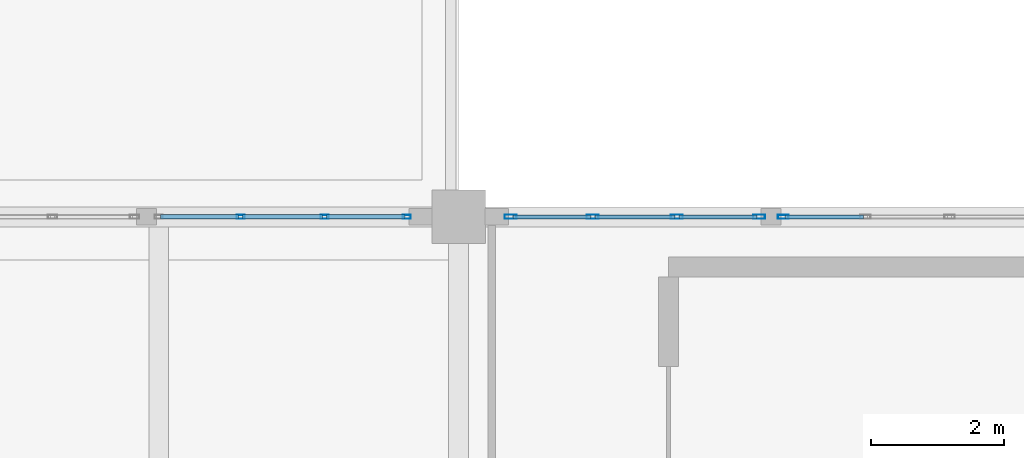
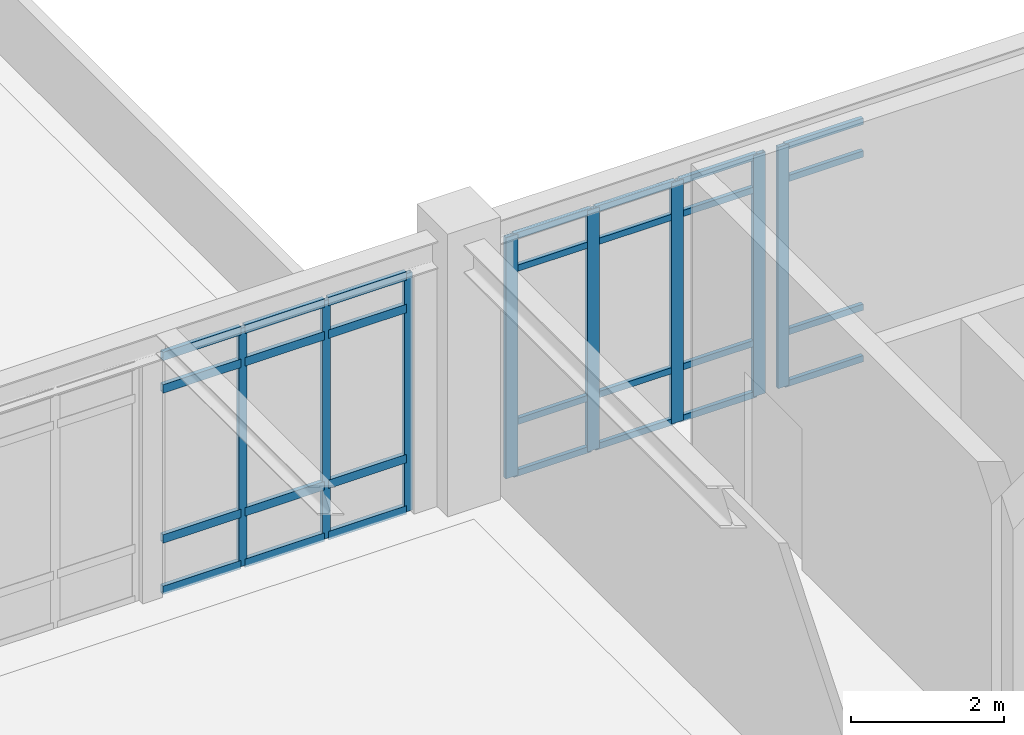
# One storey, part 36 of 55: 36 members, 3 elements without a shape of their own.
"""IFC4 building model written with IfcOpenShell, lengths in metres."""

import ifcopenshell
import ifcopenshell.guid

model = None  # the IFC model being written
_history = None  # IfcOwnerHistory: only IFC2X3 demands one
_inside = {}  # id of a spatial element -> (the spatial element, [elements in it])
_under = {}  # id of a project, library or spatial element -> (it, [spatial elements below it])
_declared = {}  # id of a project -> (the project, [libraries it declares])
_typed = {}  # id of a type object -> (the type object, [elements of that type])
_made_of = {}  # id of a material, layer set ... -> (it, [elements and type objects made of it])


def new_model(schema):
    """Start an empty IFC model of exactly this schema.

    Asked for "IFC4X3", IfcOpenShell would pick the latest addendum, in which some entities
    have other attributes; the version numbers below select the first issue.
    IFC2X3 requires an IfcOwnerHistory on every rooted entity: one is made here for all.
    """
    global model, _history
    if schema == "IFC4X3":
        model = ifcopenshell.file(schema_version=(4, 3, 0, 0))
    else:
        model = ifcopenshell.file(schema=schema)
    _inside.clear()
    _under.clear()
    _declared.clear()
    _typed.clear()
    _made_of.clear()
    _history = None
    if model.schema == "IFC2X3":
        org = make("IfcOrganization", Name="unknown")
        user = make(
            "IfcPersonAndOrganization",
            ThePerson=make("IfcPerson", FamilyName="unknown"),
            TheOrganization=org,
        )
        app = make(
            "IfcApplication",
            ApplicationDeveloper=org,
            Version="unknown",
            ApplicationFullName="unknown",
            ApplicationIdentifier="unknown",
        )
        _history = make(
            "IfcOwnerHistory",
            OwningUser=user,
            OwningApplication=app,
            ChangeAction="ADDED",
            CreationDate=0,
        )
    return model


def make(cls, **values):
    """One entity of the class cls with the attributes given. An attribute that is None is left unset."""
    return model.create_entity(
        cls, **{name: value for name, value in values.items() if value is not None}
    )


def rooted(cls, **values):
    """An entity with a GlobalId (a new one), such as an element, a storey or a relation."""
    return make(cls, GlobalId=ifcopenshell.guid.new(), OwnerHistory=_history, **values)


def si_unit(unit_type, name, prefix=None):
    """IfcSIUnit, for example si_unit("LENGTHUNIT", "METRE", prefix="MILLI")."""
    return make("IfcSIUnit", UnitType=unit_type, Prefix=prefix, Name=name)


def assignment(units):
    """IfcUnitAssignment: the units of a project."""
    return None if units is None else make("IfcUnitAssignment", Units=units)


def point(xyz):
    """IfcCartesianPoint."""
    return None if xyz is None else make("IfcCartesianPoint", Coordinates=xyz)


def direction(xyz):
    """IfcDirection."""
    return None if xyz is None else make("IfcDirection", DirectionRatios=xyz)


def frame(location, z_axis=None, x_axis=None):
    """IfcAxis2Placement3D, a coordinate frame: its origin and axes. An axis left out is left unset."""
    return make(
        "IfcAxis2Placement3D",
        Location=point(location),
        Axis=direction(z_axis),
        RefDirection=direction(x_axis),
    )


def frame_2d(location, x_axis=None):
    """IfcAxis2Placement2D, a coordinate frame in the plane: its origin and x axis."""
    return make(
        "IfcAxis2Placement2D", Location=point(location), RefDirection=direction(x_axis)
    )


def origin():
    """The frame at (0, 0, 0) with its axes left unset."""
    return frame((0.0, 0.0, 0.0))


def origin_2d():
    """The frame at (0, 0) in the plane with its x axis left unset."""
    return frame_2d((0.0, 0.0))


def place(relative_to, where):
    """IfcLocalPlacement: puts the frame where relative to a parent placement (None: the world)."""
    return make(
        "IfcLocalPlacement", PlacementRelTo=relative_to, RelativePlacement=where
    )


def context(
    kind, dimensions, precision=None, world=None, true_north=None, identifier=None
):
    """IfcGeometricRepresentationContext, for example the 3D "Model" context."""
    return make(
        "IfcGeometricRepresentationContext",
        ContextIdentifier=identifier,
        ContextType=kind,
        CoordinateSpaceDimension=dimensions,
        Precision=precision,
        WorldCoordinateSystem=world,
        TrueNorth=true_north,
    )


def subcontext(parent, identifier, kind, view, scale=None):
    """IfcGeometricRepresentationSubContext, for example "Body" below "Model"."""
    return make(
        "IfcGeometricRepresentationSubContext",
        ContextIdentifier=identifier,
        ContextType=kind,
        ParentContext=parent,
        TargetScale=scale,
        TargetView=view,
    )


def project(units=None, contexts=None):
    """IfcProject with its units and contexts."""
    return rooted(
        "IfcProject",
        Name="project",
        RepresentationContexts=contexts,
        UnitsInContext=assignment(units),
    )


def spatial(cls, under=None, at=None, **own):
    """A site, building, storey or space (cls), placed at a placement, below another one or the project."""
    s = rooted(cls, ObjectPlacement=at, **own)
    if under is not None:
        _under.setdefault(under.id(), (under, []))[1].append(s)
    return s


def profile(cls, at=None, kind="AREA", **sizes):
    """A parametric profile (cls). Its sizes go by their IFC names, for example OverallWidth=200.0."""
    return make(cls, ProfileType=kind, Position=at, **sizes)


def hollow_rectangle(**sizes):
    """IfcRectangleHollowProfileDef."""
    return profile("IfcRectangleHollowProfileDef", **sizes)


def extrude(swept, where, along, depth):
    """IfcExtrudedAreaSolid: the profile swept, set in the frame where, extruded along a direction by depth."""
    return make(
        "IfcExtrudedAreaSolid",
        SweptArea=swept,
        Position=where,
        ExtrudedDirection=direction(along),
        Depth=depth,
    )


def shape(context_of_items, identifier, shape_type, items):
    """IfcShapeRepresentation: the items that make up one representation, for example the "Body"."""
    return make(
        "IfcShapeRepresentation",
        ContextOfItems=context_of_items,
        RepresentationIdentifier=identifier,
        RepresentationType=shape_type,
        Items=items,
    )


def material(Name=None, Category=None):
    """IfcMaterial."""
    return make("IfcMaterial", Name=Name, Category=Category)


def layer(
    of_material, thickness, ventilated=None, Name=None, Category=None, Priority=None
):
    """IfcMaterialLayer: one layer of a wall or slab, of a material (None: an air gap)."""
    return make(
        "IfcMaterialLayer",
        Material=of_material,
        LayerThickness=thickness,
        IsVentilated=ventilated,
        Name=Name,
        Category=Category,
        Priority=Priority,
    )


def layer_set(layers, Name=None):
    """IfcMaterialLayerSet."""
    return make("IfcMaterialLayerSet", MaterialLayers=layers, LayerSetName=Name)


def material_profile(
    of_material, cross_section, Name=None, Category=None, Priority=None
):
    """IfcMaterialProfile: a cross section and its material."""
    return make(
        "IfcMaterialProfile",
        Name=Name,
        Material=of_material,
        Profile=cross_section,
        Priority=Priority,
        Category=Category,
    )


def profile_set(profiles, Name=None, composite=None):
    """IfcMaterialProfileSet."""
    return make(
        "IfcMaterialProfileSet",
        Name=Name,
        MaterialProfiles=profiles,
        CompositeProfile=composite,
    )


def made_of(thing, what):
    """Note that an element or type object is made of a material, layer set ...; save() writes the relation."""
    if what is not None:
        _made_of.setdefault(what.id(), (what, []))[1].append(thing)
    return thing


def type_object(cls, material=None, **own):
    """A type object (cls), such as IfcWallType, which elements share."""
    return made_of(rooted(cls, **own), material)


def element(
    cls,
    number,
    at=None,
    inside=None,
    cuts=None,
    type_object=None,
    material=None,
    context=None,
    identifier="Body",
    shape_type=None,
    held_by="IfcProductDefinitionShape",
    body=None,
    shapes=None,
    **own,
):
    """One element of the class cls, such as IfcWall. Its Tag is "e" and its number.

    at: its placement. inside: the storey or other place that contains it. cuts: it is an
    opening in that element (IfcRelVoidsElement). A single representation is given by context,
    identifier, shape_type and body (its items); several are given by shapes. held_by: the class
    of the entity that holds the representations. save() writes the other relations.
    """
    e = rooted(cls, Tag="e%d" % number, ObjectPlacement=at, **own)
    if body is not None:
        shapes = [shape(context, identifier, shape_type, body)]
    if shapes is not None:
        e.Representation = make(held_by, Representations=shapes)
    if inside is not None:
        _inside.setdefault(inside.id(), (inside, []))[1].append(e)
    if cuts is not None:
        rooted(
            "IfcRelVoidsElement", RelatingBuildingElement=cuts, RelatedOpeningElement=e
        )
    if type_object is not None:
        _typed.setdefault(type_object.id(), (type_object, []))[1].append(e)
    return made_of(e, material)


def aggregate(whole, parts):
    """IfcRelAggregates: a whole, such as a stair, and the parts it consists of."""
    return rooted("IfcRelAggregates", RelatingObject=whole, RelatedObjects=parts)


def save(model, path):
    """Write the relations noted so far, then the file.

    IfcRelAggregates (storeys below a building ...), IfcRelContainedInSpatialStructure (elements
    in a storey), IfcRelDefinesByType, IfcRelAssociatesMaterial and IfcRelDeclares: one each for
    every whole, place, type object, material and project.
    """
    for whole, parts in _under.values():
        aggregate(whole, parts)
    for where, things in _inside.values():
        rooted(
            "IfcRelContainedInSpatialStructure",
            RelatedElements=things,
            RelatingStructure=where,
        )
    for kind, things in _typed.values():
        rooted("IfcRelDefinesByType", RelatedObjects=things, RelatingType=kind)
    for what, things in _made_of.values():
        rooted("IfcRelAssociatesMaterial", RelatedObjects=things, RelatingMaterial=what)
    for by, libraries in _declared.values():
        rooted("IfcRelDeclares", RelatingContext=by, RelatedDefinitions=libraries)
    model.write(path)


model = new_model("IFC4")

# Units and contexts
model_context = context("Model", 3, precision=1e-05, world=origin(), true_north=direction((0.0, 1.0)))
body_context = subcontext(model_context, "Body", "Model", "MODEL_VIEW")
ifc_project = project(units=[si_unit("LENGTHUNIT", "METRE"), si_unit("AREAUNIT", "SQUARE_METRE"), si_unit("VOLUMEUNIT", "CUBIC_METRE"), si_unit("PLANEANGLEUNIT", "RADIAN"), si_unit("MASSUNIT", "GRAM", prefix="KILO")], contexts=[model_context])

# Site, building, storey
site_placement = place(None, origin())
site = spatial("IfcSite", under=ifc_project, at=site_placement, CompositionType="ELEMENT")
building_placement = place(site_placement, origin())
building = spatial("IfcBuilding", under=site, at=building_placement, Name="Fikremerkos Civic Library", CompositionType="ELEMENT")
storey_placement = place(building_placement, frame((0.0, 0.0, 18.89990234375)))
storey = spatial("IfcBuildingStorey", under=building, at=storey_placement, Name="L04", CompositionType="ELEMENT", Elevation=18.89990234375)

# Curtain wall, members
ifc_material = material(Name="Anodized aluminium Frame", Category="aluminium")
ifc_layer_1 = layer(ifc_material, 0.159912109375, Name="Anodized aluminium Frame")
ifc_layer_set_1 = layer_set([ifc_layer_1], Name="Anodized aluminium Frame")
curtain_wall_type_1 = type_object("IfcCurtainWallType", Name="Unitised curtain wall CW-13 3700x3200", PredefinedType="USERDEFINED", material=ifc_layer_set_1)
curtain_wall_1_placement = place(storey_placement, origin())
curtain_wall_1 = element("IfcCurtainWall", 1, at=curtain_wall_1_placement, inside=storey, type_object=curtain_wall_type_1, Name="Unitised curtain wall CW-13 L04 #247", ObjectType="UNITISED CURTAIN WALL", PredefinedType="USERDEFINED")
ifc_material_profile_1 = material_profile(ifc_material, hollow_rectangle(XDim=0.06494140625, YDim=0.179931640625, WallThickness=0.00439453125, at=origin_2d()), Name="ALU 180x65x4.5")
ifc_profile_set_1 = profile_set([ifc_material_profile_1], Name="Anodized aluminium Frame")
member_type_1 = type_object("IfcMemberType", Name="Curtain mullion CWM-01 ALU 180x65x4.5", PredefinedType="MULLION", material=ifc_profile_set_1)
member_1_placement = place(storey_placement, frame((100.98046875, 31.199951171875, 0.0), z_axis=(0.0, 0.0, 1.0), x_axis=(0.0, 1.0, 0.0)))
member_1 = element("IfcMember", 2, at=member_1_placement, type_object=member_type_1, Name="CW-13 mullion 1", PredefinedType="MULLION", context=body_context, shape_type="SweptSolid", body=[
    extrude(hollow_rectangle(XDim=0.06494140625, YDim=0.179931640625, WallThickness=0.00439453125, at=origin_2d()), origin(), (0.0, 0.0, 1.0), 3.840087890625),
])
member_2_placement = place(storey_placement, frame((102.21240234375, 31.199951171875, 0.0), z_axis=(0.0, 0.0, 1.0), x_axis=(0.0, 1.0, 0.0)))
member_2 = element("IfcMember", 3, at=member_2_placement, type_object=member_type_1, Name="CW-13 mullion 2", PredefinedType="MULLION", context=body_context, shape_type="SweptSolid", body=[
    extrude(hollow_rectangle(XDim=0.06494140625, YDim=0.179931640625, WallThickness=0.00439453125, at=origin_2d()), origin(), (0.0, 0.0, 1.0), 3.840087890625),
])
member_3_placement = place(storey_placement, frame((103.4765625, 31.199951171875, 0.0), z_axis=(0.0, 0.0, 1.0), x_axis=(0.0, 1.0, 0.0)))
member_3 = element("IfcMember", 4, at=member_3_placement, type_object=member_type_1, Name="CW-13 mullion 3", PredefinedType="MULLION", context=body_context, shape_type="SweptSolid", body=[
    extrude(hollow_rectangle(XDim=0.06494140625, YDim=0.179931640625, WallThickness=0.00439453125, at=origin_2d()), origin(), (0.0, 0.0, 1.0), 3.840087890625),
])
member_4_placement = place(storey_placement, frame((104.70849609375, 31.199951171875, 0.0), z_axis=(0.0, 0.0, 1.0), x_axis=(0.0, 1.0, 0.0)))
member_4 = element("IfcMember", 5, at=member_4_placement, type_object=member_type_1, Name="CW-13 mullion 4", PredefinedType="MULLION", context=body_context, shape_type="SweptSolid", body=[
    extrude(hollow_rectangle(XDim=0.06494140625, YDim=0.179931640625, WallThickness=0.00439453125, at=origin_2d()), origin(), (0.0, 0.0, 1.0), 3.840087890625),
])

# Curtain wall, member
ifc_layer_2 = layer(ifc_material, 0.159912109375, Name="Anodized aluminium Frame")
ifc_layer_set_2 = layer_set([ifc_layer_2], Name="Anodized aluminium Frame")
curtain_wall_type_2 = type_object("IfcCurtainWallType", Name="Unitised curtain wall CW-14 4100x3200", PredefinedType="USERDEFINED", material=ifc_layer_set_2)
curtain_wall_2_placement = place(storey_placement, origin())
curtain_wall_2 = element("IfcCurtainWall", 6, at=curtain_wall_2_placement, inside=storey, type_object=curtain_wall_type_2, Name="Unitised curtain wall CW-14 L04 #248", ObjectType="UNITISED CURTAIN WALL", PredefinedType="USERDEFINED")
ifc_material_profile_2 = material_profile(ifc_material, hollow_rectangle(XDim=0.06005859375, YDim=0.159912109375, WallThickness=0.00390625, at=origin_2d()), Name="ALU 160x60x4")
ifc_profile_set_2 = profile_set([ifc_material_profile_2], Name="Anodized aluminium Frame")
member_type_2 = type_object("IfcMemberType", Name="Curtain mullion CWM-02 ALU 160x60x4", PredefinedType="MULLION", material=ifc_profile_set_2)
member_5_placement = place(storey_placement, frame((105.071044921875, 31.199951171875, 0.0), z_axis=(0.0, 0.0, 1.0), x_axis=(0.0, 1.0, 0.0)))
member_5 = element("IfcMember", 7, at=member_5_placement, type_object=member_type_2, Name="CW-14 mullion 1", PredefinedType="MULLION", context=body_context, shape_type="SweptSolid", body=[
    extrude(hollow_rectangle(XDim=0.06005859375, YDim=0.159912109375, WallThickness=0.00390625, at=origin_2d()), origin(), (0.0, 0.0, 1.0), 3.840087890625),
])

# Curtain wall, members
ifc_layer_3 = layer(ifc_material, 0.159912109375, Name="Anodized aluminium Frame")
ifc_layer_set_3 = layer_set([ifc_layer_3], Name="Anodized aluminium Frame")
curtain_wall_type_3 = type_object("IfcCurtainWallType", Name="Unitised curtain wall CW-12 4300x3400", PredefinedType="USERDEFINED", material=ifc_layer_set_3)
curtain_wall_3_placement = place(storey_placement, origin())
curtain_wall_3 = element("IfcCurtainWall", 8, at=curtain_wall_3_placement, inside=storey, type_object=curtain_wall_type_3, Name="Unitised curtain wall CW-12 L04 #246", ObjectType="UNITISED CURTAIN WALL", PredefinedType="USERDEFINED")
ifc_material_profile_3 = material_profile(ifc_material, hollow_rectangle(XDim=0.06005859375, YDim=0.1201171875, WallThickness=0.00390625, at=origin_2d()), Name="ALU 120x60x4")
ifc_profile_set_3 = profile_set([ifc_material_profile_3], Name="Anodized aluminium Frame")
member_type_3 = type_object("IfcMemberType", Name="Curtain mullion CWM-04 ALU 120x60x4", PredefinedType="MULLION", material=ifc_profile_set_3)
member_6_placement = place(storey_placement, frame((96.928955078125, 31.199951171875, 0.0), z_axis=(0.0, 0.0, 1.0), x_axis=(0.0, 1.0, 0.0)))
member_6 = element("IfcMember", 9, at=member_6_placement, type_object=member_type_3, Name="CW-12 mullion 2", PredefinedType="MULLION", context=body_context, shape_type="SweptSolid", body=[
    extrude(hollow_rectangle(XDim=0.06005859375, YDim=0.1201171875, WallThickness=0.00390625, at=origin_2d()), origin(), (0.0, 0.0, 1.0), 3.7900390625),
])
member_7_placement = place(storey_placement, frame((98.1904296875, 31.199951171875, 0.0), z_axis=(0.0, 0.0, 1.0), x_axis=(0.0, 1.0, 0.0)))
member_7 = element("IfcMember", 10, at=member_7_placement, type_object=member_type_3, Name="CW-12 mullion 3", PredefinedType="MULLION", context=body_context, shape_type="SweptSolid", body=[
    extrude(hollow_rectangle(XDim=0.06005859375, YDim=0.1201171875, WallThickness=0.00390625, at=origin_2d()), origin(), (0.0, 0.0, 1.0), 3.7900390625),
])
member_8_placement = place(storey_placement, frame((99.422119140625, 31.199951171875, 0.0), z_axis=(0.0, 0.0, 1.0), x_axis=(0.0, 1.0, 0.0)))
member_8 = element("IfcMember", 11, at=member_8_placement, type_object=member_type_3, Name="CW-12 mullion 4", PredefinedType="MULLION", context=body_context, shape_type="SweptSolid", body=[
    extrude(hollow_rectangle(XDim=0.06005859375, YDim=0.1201171875, WallThickness=0.00390625, at=origin_2d()), origin(), (0.0, 0.0, 1.0), 3.7900390625),
])
ifc_material_profile_4 = material_profile(ifc_material, hollow_rectangle(XDim=0.06494140625, YDim=0.135009765625, WallThickness=0.00439453125, at=origin_2d()), Name="ALU 135x65x4.5")
ifc_profile_set_4 = profile_set([ifc_material_profile_4], Name="Anodized aluminium Frame")
member_type_4 = type_object("IfcMemberType", Name="Curtain transom CWT-02 ALU 135x65x4.5", PredefinedType="USERDEFINED", material=ifc_profile_set_4)
member_9_placement = place(storey_placement, frame((95.727294921875, 31.199951171875, 0.03271484375), z_axis=(1.0, 0.0, 0.0), x_axis=(0.0, 1.0, 0.0)))
member_9 = element("IfcMember", 12, at=member_9_placement, type_object=member_type_4, Name="CW-12 transom 1.1", ObjectType="TRANSOM", PredefinedType="USERDEFINED", context=body_context, shape_type="SweptSolid", body=[
    extrude(hollow_rectangle(XDim=0.06494140625, YDim=0.135009765625, WallThickness=0.00439453125, at=origin_2d()), origin(), (0.0, 0.0, 1.0), 1.171630859375),
])
member_10_placement = place(storey_placement, frame((95.727294921875, 31.199951171875, 0.85009765625), z_axis=(1.0, 0.0, 0.0), x_axis=(0.0, 1.0, 0.0)))
member_10 = element("IfcMember", 13, at=member_10_placement, type_object=member_type_4, Name="CW-12 transom 1.2", ObjectType="TRANSOM", PredefinedType="USERDEFINED", context=body_context, shape_type="SweptSolid", body=[
    extrude(hollow_rectangle(XDim=0.06494140625, YDim=0.135009765625, WallThickness=0.00439453125, at=origin_2d()), origin(), (0.0, 0.0, 1.0), 1.171630859375),
])
member_11_placement = place(storey_placement, frame((95.727294921875, 31.199951171875, 3.239990234375), z_axis=(1.0, 0.0, 0.0), x_axis=(0.0, 1.0, 0.0)))
member_11 = element("IfcMember", 14, at=member_11_placement, type_object=member_type_4, Name="CW-12 transom 1.3", ObjectType="TRANSOM", PredefinedType="USERDEFINED", context=body_context, shape_type="SweptSolid", body=[
    extrude(hollow_rectangle(XDim=0.06494140625, YDim=0.135009765625, WallThickness=0.00439453125, at=origin_2d()), origin(), (0.0, 0.0, 1.0), 1.171630859375),
])
member_12_placement = place(storey_placement, frame((95.727294921875, 31.199951171875, 3.757568359375), z_axis=(1.0, 0.0, 0.0), x_axis=(0.0, 1.0, 0.0)))
member_12 = element("IfcMember", 15, at=member_12_placement, type_object=member_type_4, Name="CW-12 transom 1.4", ObjectType="TRANSOM", PredefinedType="USERDEFINED", context=body_context, shape_type="SweptSolid", body=[
    extrude(hollow_rectangle(XDim=0.06494140625, YDim=0.135009765625, WallThickness=0.00439453125, at=origin_2d()), origin(), (0.0, 0.0, 1.0), 1.171630859375),
])
member_13_placement = place(storey_placement, frame((96.958984375, 31.199951171875, 0.03271484375), z_axis=(1.0, 0.0, 0.0), x_axis=(0.0, 1.0, 0.0)))
member_13 = element("IfcMember", 16, at=member_13_placement, type_object=member_type_4, Name="CW-12 transom 2.1", ObjectType="TRANSOM", PredefinedType="USERDEFINED", context=body_context, shape_type="SweptSolid", body=[
    extrude(hollow_rectangle(XDim=0.06494140625, YDim=0.135009765625, WallThickness=0.00439453125, at=origin_2d()), origin(), (0.0, 0.0, 1.0), 1.201416015625),
])
member_14_placement = place(storey_placement, frame((96.958984375, 31.199951171875, 0.85009765625), z_axis=(1.0, 0.0, 0.0), x_axis=(0.0, 1.0, 0.0)))
member_14 = element("IfcMember", 17, at=member_14_placement, type_object=member_type_4, Name="CW-12 transom 2.2", ObjectType="TRANSOM", PredefinedType="USERDEFINED", context=body_context, shape_type="SweptSolid", body=[
    extrude(hollow_rectangle(XDim=0.06494140625, YDim=0.135009765625, WallThickness=0.00439453125, at=origin_2d()), origin(), (0.0, 0.0, 1.0), 1.201416015625),
])
member_15_placement = place(storey_placement, frame((96.958984375, 31.199951171875, 3.239990234375), z_axis=(1.0, 0.0, 0.0), x_axis=(0.0, 1.0, 0.0)))
member_15 = element("IfcMember", 18, at=member_15_placement, type_object=member_type_4, Name="CW-12 transom 2.3", ObjectType="TRANSOM", PredefinedType="USERDEFINED", context=body_context, shape_type="SweptSolid", body=[
    extrude(hollow_rectangle(XDim=0.06494140625, YDim=0.135009765625, WallThickness=0.00439453125, at=origin_2d()), origin(), (0.0, 0.0, 1.0), 1.201416015625),
])
member_16_placement = place(storey_placement, frame((96.958984375, 31.199951171875, 3.757568359375), z_axis=(1.0, 0.0, 0.0), x_axis=(0.0, 1.0, 0.0)))
member_16 = element("IfcMember", 19, at=member_16_placement, type_object=member_type_4, Name="CW-12 transom 2.4", ObjectType="TRANSOM", PredefinedType="USERDEFINED", context=body_context, shape_type="SweptSolid", body=[
    extrude(hollow_rectangle(XDim=0.06494140625, YDim=0.135009765625, WallThickness=0.00439453125, at=origin_2d()), origin(), (0.0, 0.0, 1.0), 1.201416015625),
])
member_17_placement = place(storey_placement, frame((98.220458984375, 31.199951171875, 0.03271484375), z_axis=(1.0, 0.0, 0.0), x_axis=(0.0, 1.0, 0.0)))
member_17 = element("IfcMember", 20, at=member_17_placement, type_object=member_type_4, Name="CW-12 transom 3.1", ObjectType="TRANSOM", PredefinedType="USERDEFINED", context=body_context, shape_type="SweptSolid", body=[
    extrude(hollow_rectangle(XDim=0.06494140625, YDim=0.135009765625, WallThickness=0.00439453125, at=origin_2d()), origin(), (0.0, 0.0, 1.0), 1.171630859375),
])
member_18_placement = place(storey_placement, frame((98.220458984375, 31.199951171875, 0.85009765625), z_axis=(1.0, 0.0, 0.0), x_axis=(0.0, 1.0, 0.0)))
member_18 = element("IfcMember", 21, at=member_18_placement, type_object=member_type_4, Name="CW-12 transom 3.2", ObjectType="TRANSOM", PredefinedType="USERDEFINED", context=body_context, shape_type="SweptSolid", body=[
    extrude(hollow_rectangle(XDim=0.06494140625, YDim=0.135009765625, WallThickness=0.00439453125, at=origin_2d()), origin(), (0.0, 0.0, 1.0), 1.171630859375),
])
member_19_placement = place(storey_placement, frame((98.220458984375, 31.199951171875, 3.239990234375), z_axis=(1.0, 0.0, 0.0), x_axis=(0.0, 1.0, 0.0)))
member_19 = element("IfcMember", 22, at=member_19_placement, type_object=member_type_4, Name="CW-12 transom 3.3", ObjectType="TRANSOM", PredefinedType="USERDEFINED", context=body_context, shape_type="SweptSolid", body=[
    extrude(hollow_rectangle(XDim=0.06494140625, YDim=0.135009765625, WallThickness=0.00439453125, at=origin_2d()), origin(), (0.0, 0.0, 1.0), 1.171630859375),
])
member_20_placement = place(storey_placement, frame((98.220458984375, 31.199951171875, 3.757568359375), z_axis=(1.0, 0.0, 0.0), x_axis=(0.0, 1.0, 0.0)))
member_20 = element("IfcMember", 23, at=member_20_placement, type_object=member_type_4, Name="CW-12 transom 3.4", ObjectType="TRANSOM", PredefinedType="USERDEFINED", context=body_context, shape_type="SweptSolid", body=[
    extrude(hollow_rectangle(XDim=0.06494140625, YDim=0.135009765625, WallThickness=0.00439453125, at=origin_2d()), origin(), (0.0, 0.0, 1.0), 1.171630859375),
])
aggregate(curtain_wall_3, [member_6, member_7, member_8, member_9, member_10, member_11, member_12, member_13, member_14, member_15, member_16, member_17, member_18, member_19, member_20])

# Member
ifc_material_profile_5 = material_profile(ifc_material, hollow_rectangle(XDim=0.06005859375, YDim=0.10009765625, WallThickness=0.00390625, at=origin_2d()), Name="ALU 100x60x4")
ifc_profile_set_5 = profile_set([ifc_material_profile_5], Name="Anodized aluminium Frame")
member_type_5 = type_object("IfcMemberType", Name="Curtain transom CWT-03 ALU 100x60x4", PredefinedType="USERDEFINED", material=ifc_profile_set_5)
member_21_placement = place(storey_placement, frame((101.012939453125, 31.199951171875, 0.030029296875), z_axis=(1.0, 0.0, 0.0), x_axis=(0.0, 1.0, 0.0)))
member_21 = element("IfcMember", 24, at=member_21_placement, type_object=member_type_5, Name="CW-13 transom 1.1", ObjectType="TRANSOM", PredefinedType="USERDEFINED", context=body_context, shape_type="SweptSolid", body=[
    extrude(hollow_rectangle(XDim=0.06005859375, YDim=0.10009765625, WallThickness=0.00390625, at=origin_2d()), origin(), (0.0, 0.0, 1.0), 1.1669921875),
])

member_22_placement = place(storey_placement, frame((101.012939453125, 31.199951171875, 0.85009765625), z_axis=(1.0, 0.0, 0.0), x_axis=(0.0, 1.0, 0.0)))
member_22 = element("IfcMember", 25, at=member_22_placement, type_object=member_type_5, Name="CW-13 transom 1.2", ObjectType="TRANSOM", PredefinedType="USERDEFINED", context=body_context, shape_type="SweptSolid", body=[
    extrude(hollow_rectangle(XDim=0.06005859375, YDim=0.10009765625, WallThickness=0.00390625, at=origin_2d()), origin(), (0.0, 0.0, 1.0), 1.1669921875),
])

member_23_placement = place(storey_placement, frame((101.012939453125, 31.199951171875, 3.2900390625), z_axis=(1.0, 0.0, 0.0), x_axis=(0.0, 1.0, 0.0)))
member_23 = element("IfcMember", 26, at=member_23_placement, type_object=member_type_5, Name="CW-13 transom 1.3", ObjectType="TRANSOM", PredefinedType="USERDEFINED", context=body_context, shape_type="SweptSolid", body=[
    extrude(hollow_rectangle(XDim=0.06005859375, YDim=0.10009765625, WallThickness=0.00390625, at=origin_2d()), origin(), (0.0, 0.0, 1.0), 1.1669921875),
])

member_24_placement = place(storey_placement, frame((101.012939453125, 31.199951171875, 3.81005859375), z_axis=(1.0, 0.0, 0.0), x_axis=(0.0, 1.0, 0.0)))
member_24 = element("IfcMember", 27, at=member_24_placement, type_object=member_type_5, Name="CW-13 transom 1.4", ObjectType="TRANSOM", PredefinedType="USERDEFINED", context=body_context, shape_type="SweptSolid", body=[
    extrude(hollow_rectangle(XDim=0.06005859375, YDim=0.10009765625, WallThickness=0.00390625, at=origin_2d()), origin(), (0.0, 0.0, 1.0), 1.1669921875),
])

member_25_placement = place(storey_placement, frame((102.244873046875, 31.199951171875, 0.030029296875), z_axis=(1.0, 0.0, 0.0), x_axis=(0.0, 1.0, 0.0)))
member_25 = element("IfcMember", 28, at=member_25_placement, type_object=member_type_5, Name="CW-13 transom 2.1", ObjectType="TRANSOM", PredefinedType="USERDEFINED", context=body_context, shape_type="SweptSolid", body=[
    extrude(hollow_rectangle(XDim=0.06005859375, YDim=0.10009765625, WallThickness=0.00390625, at=origin_2d()), origin(), (0.0, 0.0, 1.0), 1.19921875),
])

member_26_placement = place(storey_placement, frame((102.244873046875, 31.199951171875, 0.85009765625), z_axis=(1.0, 0.0, 0.0), x_axis=(0.0, 1.0, 0.0)))
member_26 = element("IfcMember", 29, at=member_26_placement, type_object=member_type_5, Name="CW-13 transom 2.2", ObjectType="TRANSOM", PredefinedType="USERDEFINED", context=body_context, shape_type="SweptSolid", body=[
    extrude(hollow_rectangle(XDim=0.06005859375, YDim=0.10009765625, WallThickness=0.00390625, at=origin_2d()), origin(), (0.0, 0.0, 1.0), 1.19921875),
])

member_27_placement = place(storey_placement, frame((102.244873046875, 31.199951171875, 3.2900390625), z_axis=(1.0, 0.0, 0.0), x_axis=(0.0, 1.0, 0.0)))
member_27 = element("IfcMember", 30, at=member_27_placement, type_object=member_type_5, Name="CW-13 transom 2.3", ObjectType="TRANSOM", PredefinedType="USERDEFINED", context=body_context, shape_type="SweptSolid", body=[
    extrude(hollow_rectangle(XDim=0.06005859375, YDim=0.10009765625, WallThickness=0.00390625, at=origin_2d()), origin(), (0.0, 0.0, 1.0), 1.19921875),
])

member_28_placement = place(storey_placement, frame((102.244873046875, 31.199951171875, 3.81005859375), z_axis=(1.0, 0.0, 0.0), x_axis=(0.0, 1.0, 0.0)))
member_28 = element("IfcMember", 31, at=member_28_placement, type_object=member_type_5, Name="CW-13 transom 2.4", ObjectType="TRANSOM", PredefinedType="USERDEFINED", context=body_context, shape_type="SweptSolid", body=[
    extrude(hollow_rectangle(XDim=0.06005859375, YDim=0.10009765625, WallThickness=0.00390625, at=origin_2d()), origin(), (0.0, 0.0, 1.0), 1.19921875),
])

member_29_placement = place(storey_placement, frame((103.50927734375, 31.199951171875, 0.030029296875), z_axis=(1.0, 0.0, 0.0), x_axis=(0.0, 1.0, 0.0)))
member_29 = element("IfcMember", 32, at=member_29_placement, type_object=member_type_5, Name="CW-13 transom 3.1", ObjectType="TRANSOM", PredefinedType="USERDEFINED", context=body_context, shape_type="SweptSolid", body=[
    extrude(hollow_rectangle(XDim=0.06005859375, YDim=0.10009765625, WallThickness=0.00390625, at=origin_2d()), origin(), (0.0, 0.0, 1.0), 1.166748046875),
])

member_30_placement = place(storey_placement, frame((103.50927734375, 31.199951171875, 0.85009765625), z_axis=(1.0, 0.0, 0.0), x_axis=(0.0, 1.0, 0.0)))
member_30 = element("IfcMember", 33, at=member_30_placement, type_object=member_type_5, Name="CW-13 transom 3.2", ObjectType="TRANSOM", PredefinedType="USERDEFINED", context=body_context, shape_type="SweptSolid", body=[
    extrude(hollow_rectangle(XDim=0.06005859375, YDim=0.10009765625, WallThickness=0.00390625, at=origin_2d()), origin(), (0.0, 0.0, 1.0), 1.166748046875),
])

member_31_placement = place(storey_placement, frame((103.50927734375, 31.199951171875, 3.2900390625), z_axis=(1.0, 0.0, 0.0), x_axis=(0.0, 1.0, 0.0)))
member_31 = element("IfcMember", 34, at=member_31_placement, type_object=member_type_5, Name="CW-13 transom 3.3", ObjectType="TRANSOM", PredefinedType="USERDEFINED", context=body_context, shape_type="SweptSolid", body=[
    extrude(hollow_rectangle(XDim=0.06005859375, YDim=0.10009765625, WallThickness=0.00390625, at=origin_2d()), origin(), (0.0, 0.0, 1.0), 1.166748046875),
])

member_32_placement = place(storey_placement, frame((103.50927734375, 31.199951171875, 3.81005859375), z_axis=(1.0, 0.0, 0.0), x_axis=(0.0, 1.0, 0.0)))
member_32 = element("IfcMember", 35, at=member_32_placement, type_object=member_type_5, Name="CW-13 transom 3.4", ObjectType="TRANSOM", PredefinedType="USERDEFINED", context=body_context, shape_type="SweptSolid", body=[
    extrude(hollow_rectangle(XDim=0.06005859375, YDim=0.10009765625, WallThickness=0.00390625, at=origin_2d()), origin(), (0.0, 0.0, 1.0), 1.166748046875),
])

aggregate(curtain_wall_1, [member_1, member_2, member_3, member_4, member_21, member_22, member_23, member_24, member_25, member_26, member_27, member_28, member_29, member_30, member_31, member_32])

member_33_placement = place(storey_placement, frame((105.10107421875, 31.199951171875, 0.030029296875), z_axis=(1.0, 0.0, 0.0), x_axis=(0.0, 1.0, 0.0)))
member_33 = element("IfcMember", 36, at=member_33_placement, type_object=member_type_5, Name="CW-14 transom 1.1", ObjectType="TRANSOM", PredefinedType="USERDEFINED", context=body_context, shape_type="SweptSolid", body=[
    extrude(hollow_rectangle(XDim=0.06005859375, YDim=0.10009765625, WallThickness=0.00390625, at=origin_2d()), origin(), (0.0, 0.0, 1.0), 1.17431640625),
])

member_34_placement = place(storey_placement, frame((105.10107421875, 31.199951171875, 0.85009765625), z_axis=(1.0, 0.0, 0.0), x_axis=(0.0, 1.0, 0.0)))
member_34 = element("IfcMember", 37, at=member_34_placement, type_object=member_type_5, Name="CW-14 transom 1.2", ObjectType="TRANSOM", PredefinedType="USERDEFINED", context=body_context, shape_type="SweptSolid", body=[
    extrude(hollow_rectangle(XDim=0.06005859375, YDim=0.10009765625, WallThickness=0.00390625, at=origin_2d()), origin(), (0.0, 0.0, 1.0), 1.17431640625),
])

member_35_placement = place(storey_placement, frame((105.10107421875, 31.199951171875, 3.2900390625), z_axis=(1.0, 0.0, 0.0), x_axis=(0.0, 1.0, 0.0)))
member_35 = element("IfcMember", 38, at=member_35_placement, type_object=member_type_5, Name="CW-14 transom 1.3", ObjectType="TRANSOM", PredefinedType="USERDEFINED", context=body_context, shape_type="SweptSolid", body=[
    extrude(hollow_rectangle(XDim=0.06005859375, YDim=0.10009765625, WallThickness=0.00390625, at=origin_2d()), origin(), (0.0, 0.0, 1.0), 1.17431640625),
])

member_36_placement = place(storey_placement, frame((105.10107421875, 31.199951171875, 3.81005859375), z_axis=(1.0, 0.0, 0.0), x_axis=(0.0, 1.0, 0.0)))
member_36 = element("IfcMember", 39, at=member_36_placement, type_object=member_type_5, Name="CW-14 transom 1.4", ObjectType="TRANSOM", PredefinedType="USERDEFINED", context=body_context, shape_type="SweptSolid", body=[
    extrude(hollow_rectangle(XDim=0.06005859375, YDim=0.10009765625, WallThickness=0.00390625, at=origin_2d()), origin(), (0.0, 0.0, 1.0), 1.17431640625),
])

aggregate(curtain_wall_2, [member_5, member_33, member_34, member_35, member_36])

save(model, "model.ifc")
